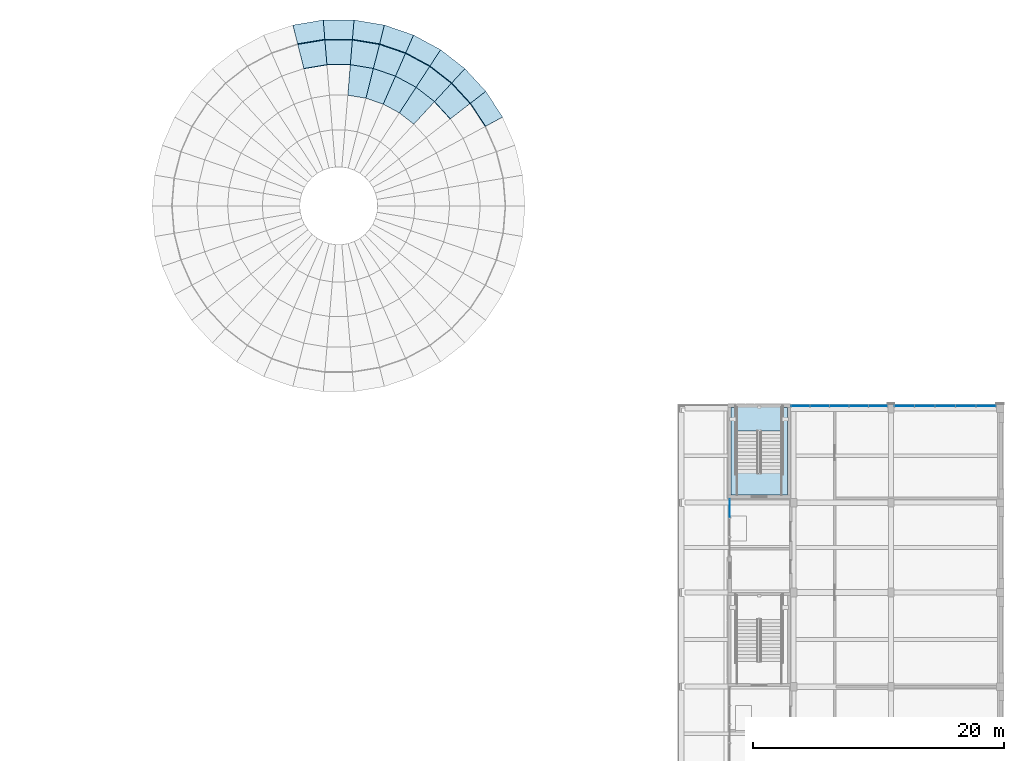
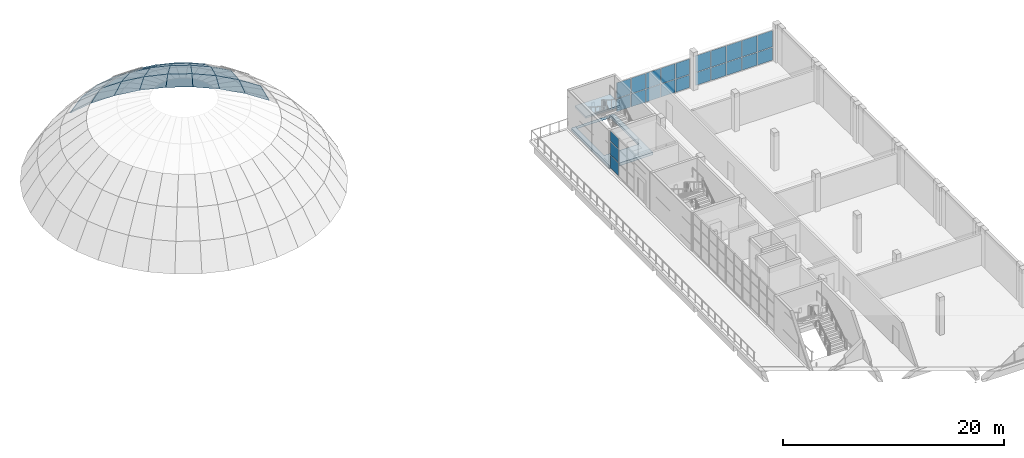
# One storey, part 25 of 36: 23 plates, 21 slabs, 5 elements without a shape of their own.
"""IFC4 building model written with IfcOpenShell, lengths in metres."""

from ifc_helpers import new_model, si_unit, direction, frame, origin, origin_2d, place, context, subcontext, project, spatial, polyline, rectangle, outline, extrude, material, layer, layer_set, type_object, element, aggregate, save


model = new_model("IFC4")

# Units and contexts
model_context = context("Model", 3, precision=1e-05, world=origin(), true_north=direction((0.0, 1.0)))
body_context = subcontext(model_context, "Body", "Model", "MODEL_VIEW")
ifc_project = project(units=[si_unit("LENGTHUNIT", "METRE"), si_unit("AREAUNIT", "SQUARE_METRE"), si_unit("VOLUMEUNIT", "CUBIC_METRE"), si_unit("PLANEANGLEUNIT", "RADIAN"), si_unit("MASSUNIT", "GRAM", prefix="KILO")], contexts=[model_context])

# Site, building, storey
site_placement = place(None, origin())
site = spatial("IfcSite", under=ifc_project, at=site_placement, CompositionType="ELEMENT")
building_placement = place(site_placement, origin())
building = spatial("IfcBuilding", under=site, at=building_placement, Name="Sun Court Science Centre", CompositionType="ELEMENT")
storey_placement = place(building_placement, frame((0.0, 0.0, 24.75)))
storey = spatial("IfcBuildingStorey", under=building, at=storey_placement, Name="L05", CompositionType="ELEMENT", Elevation=24.75)

# Roof, slabs
ifc_material_1 = material(Name="Zinc roofing", Category="metal")
roof_type = type_object("IfcRoofType", Name="Dome roof", PredefinedType="DOME_ROOF", material=ifc_material_1)
roof_placement = place(storey_placement, origin())
roof = element("IfcRoof", 1, at=roof_placement, inside=storey, type_object=roof_type, Name="Planetarium dome roof", PredefinedType="DOME_ROOF")
ifc_material_2 = material(Name="Zinc roofing", Category="metal")
ifc_layer_1 = layer(ifc_material_2, 0.06005859375)
ifc_layer_set_1 = layer_set([ifc_layer_1], Name="Zinc roofing")
slab_type_1 = type_object("IfcSlabType", Name="Dome roof panel 60", PredefinedType="ROOF", material=ifc_layer_set_1)
slab_1_placement = place(storey_placement, frame((56.989013671875, 103.305908203125, 2.2607421875), z_axis=(0.381938375577, 0.490691696821, 0.783163288167), x_axis=(-0.789121430342, 0.614237224635, -6.829699e-06)))
slab_1 = element("IfcSlab", 2, at=slab_1_placement, type_object=slab_type_1, Name="Dome roof panel 3.5", PredefinedType="ROOF", context=body_context, shape_type="SweptSolid", body=[
    extrude(outline(polyline([(0.0, 0.0), (1.4602931431949102, 1.1102230246251565e-16), (1.6620055472255875, -3.1044686144011804), (-0.20137884829265684, -3.1045051199164755), (0.0, 0.0)])), origin(), (0.0, 0.0, -1.0), 0.06005859375),
])
slab_2_placement = place(storey_placement, frame((55.836669921875, 104.202880859375, 2.2607421875), z_axis=(0.29589830461, 0.546902638941, 0.783161347902), x_axis=(-0.879520102149, 0.475861734027, -1.954916e-06)))
slab_2 = element("IfcSlab", 3, at=slab_2_placement, type_object=slab_type_1, Name="Dome roof panel 3.6", PredefinedType="ROOF", context=body_context, shape_type="SweptSolid", body=[
    extrude(outline(polyline([(0.0, 0.0), (1.4606477378626277, 0.0), (1.6618763744772977, -3.1044694436421714), (-0.20153872896884084, -3.104479894058959), (0.0, 0.0)])), origin(), (0.0, 0.0, -1.0), 0.06005859375),
])
slab_3_placement = place(storey_placement, frame((54.552001953125, 104.89794921875, 2.2607421875), z_axis=(0.201986843399, 0.588100544722, 0.78315966724), x_axis=(-0.945769826427, 0.324837552313, -5.209205e-06)))
slab_3 = element("IfcSlab", 4, at=slab_3_placement, type_object=slab_type_1, Name="Dome roof panel 3.7", PredefinedType="ROOF", context=body_context, shape_type="SweptSolid", body=[
    extrude(outline(polyline([(0.0, 0.0), (1.4602976738874296, 5.551115123125783e-17), (1.662145616811172, -3.1044501761645957), (-0.201096301971924, -3.1044780185973133), (0.0, 0.0)])), origin(), (0.0, 0.0, -1.0), 0.06005859375),
])
slab_4_placement = place(storey_placement, frame((53.1708984375, 105.372314453125, 2.2607421875), z_axis=(0.102299300629, 0.613339110469, 0.783166641693), x_axis=(-0.986377931145, 0.164494913603, 1.8653152e-05)))
slab_4 = element("IfcSlab", 5, at=slab_4_placement, type_object=slab_type_1, Name="Dome roof panel 3.8", PredefinedType="ROOF", context=body_context, shape_type="SweptSolid", body=[
    extrude(outline(polyline([(0.0, 0.0), (1.4605662028014457, -5.551115123125783e-17), (1.6618102362257752, -3.104557808795674), (-0.20172615417450554, -3.10445809215668), (0.0, 0.0)])), origin(), (0.0, 0.0, -1.0), 0.06005859375),
])
slab_5_placement = place(storey_placement, frame((59.9033203125, 103.729736328125, 0.330322265625), z_axis=(0.558727612434, 0.514270403504, 0.650653062071), x_axis=(-0.677224120625, 0.73577679387, -6.781914e-06)))
slab_5 = element("IfcSlab", 6, at=slab_5_placement, type_object=slab_type_1, Name="Dome roof panel 4.4", PredefinedType="ROOF", context=body_context, shape_type="SweptSolid", body=[
    extrude(outline(polyline([(0.0, 0.0), (1.8634506723351727, -1.1102230246251565e-16), (2.0310271301004383, -3.106655699262413), (-0.16727217335668618, -3.106691974399987), (0.0, 0.0)])), origin(), (0.0, 0.0, -1.0), 0.06005859375),
])
slab_6_placement = place(storey_placement, frame((58.641357421875, 105.100830078125, 0.330322265625), z_axis=(0.466409218161, 0.599284265535, 0.650631086174), x_axis=(-0.789149470539, 0.614201198834, -2.2327196e-05)))
slab_6 = element("IfcSlab", 7, at=slab_6_placement, type_object=slab_type_1, Name="Dome roof panel 4.5", PredefinedType="ROOF", context=body_context, shape_type="SweptSolid", body=[
    extrude(outline(polyline([(0.0, 0.0), (1.8633843948221864, 0.0), (2.030736858262941, -3.1065371038117346), (-0.16756118060520034, -3.1066565226943528), (0.0, 0.0)])), origin(), (0.0, 0.0, -1.0), 0.06005859375),
])
slab_7_placement = place(storey_placement, frame((57.1708984375, 106.245361328125, 0.330322265625), z_axis=(0.361413677165, 0.667871296322, 0.650636677039), x_axis=(-0.879500921564, 0.475897181563, 3.9337724e-05)))
slab_7 = element("IfcSlab", 8, at=slab_7_placement, type_object=slab_type_1, Name="Dome roof panel 4.6", PredefinedType="ROOF", context=body_context, shape_type="SweptSolid", body=[
    extrude(outline(polyline([(0.0, 0.0), (1.863415100073195, -1.1102230246251565e-16), (2.030522414704397, -3.1067215938523565), (-0.1678328387255072, -3.1065111868493256), (0.0, 0.0)])), origin(), (0.0, 0.0, -1.0), 0.06005859375),
])
slab_8_placement = place(storey_placement, frame((55.531982421875, 107.132080078125, 0.330322265625), z_axis=(0.24662069552, 0.718226289839, 0.650637555883), x_axis=(-0.945786793266, 0.324788147355, -3.1952183e-05)))
slab_8 = element("IfcSlab", 9, at=slab_8_placement, type_object=slab_type_1, Name="Dome roof panel 4.7", PredefinedType="ROOF", context=body_context, shape_type="SweptSolid", body=[
    extrude(outline(polyline([(0.0, 0.0), (1.8632419167696506, 0.0), (2.0310564756393163, -3.106534028995517), (-0.16741683029678261, -3.106704930559938), (0.0, 0.0)])), origin(), (0.0, 0.0, -1.0), 0.06005859375),
])
slab_9_placement = place(storey_placement, frame((53.769775390625, 107.7373046875, 0.330322265625), z_axis=(0.12497036233, 0.749046244047, 0.650624417631), x_axis=(-0.986367493608, 0.164557489896, 8.504647e-06)))
slab_9 = element("IfcSlab", 10, at=slab_9_placement, type_object=slab_type_1, Name="Dome roof panel 4.8", PredefinedType="ROOF", context=body_context, shape_type="SweptSolid", body=[
    extrude(outline(polyline([(0.0, 0.0), (1.863536393233653, 0.0), (2.030929258914925, -3.1065961810396425), (-0.1675058676117715, -3.1065506903269124), (0.0, 0.0)])), origin(), (0.0, 0.0, -1.0), 0.06005859375),
])
slab_10_placement = place(storey_placement, frame((51.931640625, 108.0439453125, 0.330322265625), z_axis=(0.0, 0.759395269727, 0.650629559978), x_axis=(-1.0, 0.0, 0.0)))
slab_10 = element("IfcSlab", 11, at=slab_10_placement, type_object=slab_type_1, Name="Dome roof panel 4.9", PredefinedType="ROOF", context=body_context, shape_type="SweptSolid", body=[
    extrude(outline(polyline([(0.0, 0.0), (1.86328125, 0.0), (2.03076171875, -3.106591459576191), (-0.16748046875, -3.106591459576191), (0.0, 0.0)])), origin(), (0.0, 0.0, -1.0), 0.06005859375),
])
slab_11_placement = place(storey_placement, frame((50.068359375, 108.0439453125, 0.330322265625), z_axis=(-0.12497036233, 0.749046244047, 0.650624417631), x_axis=(-0.986367493608, -0.164557489896, -8.504647e-06)))
slab_11 = element("IfcSlab", 12, at=slab_11_placement, type_object=slab_type_1, Name="Dome roof panel 4.10", PredefinedType="ROOF", context=body_context, shape_type="SweptSolid", body=[
    extrude(outline(polyline([(0.0, 0.0), (1.863536393233653, 0.0), (2.031042260845424, -3.106550690326912), (-0.16739286568127196, -3.1065961810396425), (0.0, 0.0)])), origin(), (0.0, 0.0, -1.0), 0.06005859375),
])
slab_12_placement = place(storey_placement, frame((62.706298828125, 103.13525390625, -2.02880859375), z_axis=(0.716927435454, 0.468407573973, 0.516342325341), x_axis=(-0.546961173457, 0.837157974775, 6.49537e-07)))
slab_12 = element("IfcSlab", 13, at=slab_12_placement, type_object=slab_type_1, Name="Dome roof panel 5.3", PredefinedType="ROOF", context=body_context, shape_type="SweptSolid", body=[
    extrude(outline(polyline([(0.0, 0.0), (2.198310691682863, -1.1102230246251565e-16), (2.32558313886506, -2.9777009746960776), (-0.12760814363755038, -2.9776974466902084), (0.0, 0.0)])), origin(), (0.0, 0.0, -1.0), 0.06005859375),
])
slab_13_placement = place(storey_placement, frame((61.50390625, 104.9755859375, -2.02880859375), z_axis=(0.630083225541, 0.580010981765, 0.516316172442), x_axis=(-0.677259716946, 0.735744028487, -1.8650023e-05)))
slab_13 = element("IfcSlab", 14, at=slab_13_placement, type_object=slab_type_1, Name="Dome roof panel 5.4", PredefinedType="ROOF", context=body_context, shape_type="SweptSolid", body=[
    extrude(outline(polyline([(0.0, 0.0), (2.1982993024081123, 0.0), (2.325905371529547, -2.977593734444448), (-0.12741133651231754, -2.977695034006719), (0.0, 0.0)])), origin(), (0.0, 0.0, -1.0), 0.06005859375),
])
slab_14_placement = place(storey_placement, frame((60.01513671875, 106.593017578125, -2.02880859375), z_axis=(0.525979210992, 0.675847999083, 0.516309356626), x_axis=(-0.789174882824, 0.614168547083, 9.681322e-06)))
slab_14 = element("IfcSlab", 15, at=slab_14_placement, type_object=slab_type_1, Name="Dome roof panel 5.5", PredefinedType="ROOF", context=body_context, shape_type="SweptSolid", body=[
    extrude(outline(polyline([(0.0, 0.0), (2.1982980426553054, 2.220446049250313e-16), (2.325608125082629, -2.9776563887382856), (-0.12737081777881185, -2.9776038077057754), (0.0, 0.0)])), origin(), (0.0, 0.0, -1.0), 0.06005859375),
])
slab_15_placement = place(storey_placement, frame((58.2802734375, 107.943115234375, -2.02880859375), z_axis=(0.407636031318, 0.753153527485, 0.516326088831), x_axis=(-0.87945032971, 0.475990669618, 3.079976e-06)))
slab_15 = element("IfcSlab", 16, at=slab_15_placement, type_object=slab_type_1, Name="Dome roof panel 5.6", PredefinedType="ROOF", context=body_context, shape_type="SweptSolid", body=[
    extrude(outline(polyline([(0.0, 0.0), (2.198355266346841, 0.0), (2.32591407931657, -2.9776735380731427), (-0.12730026063231575, -2.977656808910603), (0.0, 0.0)])), origin(), (0.0, 0.0, -1.0), 0.06005859375),
])
slab_16_placement = place(storey_placement, frame((56.346923828125, 108.989501953125, -2.02880859375), z_axis=(0.278048109186, 0.810007270552, 0.516311408582), x_axis=(-0.945823534697, 0.324681137218, -1.8663759e-05)))
slab_16 = element("IfcSlab", 17, at=slab_16_placement, type_object=slab_type_1, Name="Dome roof panel 5.7", PredefinedType="ROOF", context=body_context, shape_type="SweptSolid", body=[
    extrude(outline(polyline([(0.0, 0.0), (2.1984733130465615, -5.551115123125783e-17), (2.3258889883667955, -2.9775837116556145), (-0.12728892749360815, -2.977685086254274), (0.0, 0.0)])), origin(), (0.0, 0.0, -1.0), 0.06005859375),
])
slab_17_placement = place(storey_placement, frame((54.267578125, 109.703369140625, -2.02880859375), z_axis=(0.140960538339, 0.844729399557, 0.516296783019), x_axis=(-0.986361975329, 0.164590563444, 7.025434e-06)))
slab_17 = element("IfcSlab", 18, at=slab_17_placement, type_object=slab_type_1, Name="Dome roof panel 5.8", PredefinedType="ROOF", context=body_context, shape_type="SweptSolid", body=[
    extrude(outline(polyline([(0.0, 0.0), (2.1984351269287723, 5.551115123125783e-17), (2.3257477358707277, -2.9776228217426564), (-0.1273934578369458, -2.977584663205266), (0.0, 0.0)])), origin(), (0.0, 0.0, -1.0), 0.06005859375),
])
slab_18_placement = place(storey_placement, frame((52.09912109375, 110.065185546875, -2.02880859375), z_axis=(0.0, 0.856405830826, 0.516303256746), x_axis=(-1.0, 0.0, 0.0)))
slab_18 = element("IfcSlab", 19, at=slab_18_placement, type_object=slab_type_1, Name="Dome roof panel 5.9", PredefinedType="ROOF", context=body_context, shape_type="SweptSolid", body=[
    extrude(outline(polyline([(0.0, 0.0), (2.1982421875, 0.0), (2.32568359375, -2.9776173121854046), (-0.12744140625, -2.9776173121854046), (0.0, 0.0)])), origin(), (0.0, 0.0, -1.0), 0.06005859375),
])
slab_19_placement = place(storey_placement, frame((49.90087890625, 110.065185546875, -2.02880859375), z_axis=(-0.140960538339, 0.844729399557, 0.516296783019), x_axis=(-0.986361975329, -0.164590563444, -7.025434e-06)))
slab_19 = element("IfcSlab", 20, at=slab_19_placement, type_object=slab_type_1, Name="Dome roof panel 5.10", PredefinedType="ROOF", context=body_context, shape_type="SweptSolid", body=[
    extrude(outline(polyline([(0.0, 0.0), (2.1984351269287723, -5.551115123125783e-17), (2.325828584765718, -2.977584663205266), (-0.12731260894195556, -2.9776228217426564), (0.0, 0.0)])), origin(), (0.0, 0.0, -1.0), 0.06005859375),
])
aggregate(roof, [slab_1, slab_2, slab_3, slab_4, slab_5, slab_6, slab_7, slab_8, slab_9, slab_10, slab_11, slab_12, slab_13, slab_14, slab_15, slab_16, slab_17, slab_18, slab_19])

# Slab
ifc_material_3 = material(Name="Concrete C25/30", Category="concrete")
ifc_layer_2 = layer(ifc_material_3, 0.300048828125)
ifc_layer_set_2 = layer_set([ifc_layer_2], Name="Concrete C25/30")
slab_type_2 = type_object("IfcSlabType", Name="RC floor slab 300", PredefinedType="FLOOR", material=ifc_layer_set_2)
slab_20_placement = place(storey_placement, frame((0.0, 0.0, -0.300048828125)))
element("IfcSlab", 21, at=slab_20_placement, inside=storey, type_object=slab_type_2, Name="Stair SL4 landing slab L05", PredefinedType="FLOOR", context=body_context, shape_type="SweptSolid", body=[
    extrude(outline(polyline([(82.25, 80.75), (82.25, 73.75), (86.75, 73.75), (86.75, 80.75), (82.25, 80.75)]), holes=[polyline([(86.322998046875, 80.7451171875), (86.322998046875, 75.5029296875), (82.677001953125, 75.5029296875), (82.677001953125, 80.7451171875), (86.322998046875, 80.7451171875)])]), origin(), (0.0, 0.0, 1.0), 0.300048828125),
])

# Curtain wall, plates
ifc_material_4 = material(Name="Aluminium EN AW-6063 T6", Category="aluminium")
curtain_wall_type = type_object("IfcCurtainWallType", Name="Laboratory tall bay curtain wall 1500", PredefinedType="NOTDEFINED", material=ifc_material_4)
curtain_wall_1_placement = place(storey_placement, origin())
curtain_wall_1 = element("IfcCurtainWall", 22, at=curtain_wall_1_placement, inside=storey, type_object=curtain_wall_type, Name="Curtain wall V4 W5 L05 03", PredefinedType="NOTDEFINED")
ifc_material_5 = material(Name="Solar-control glass", Category="glass")
ifc_layer_3 = layer(ifc_material_5, 0.028076171875)
ifc_layer_set_3 = layer_set([ifc_layer_3], Name="Solar-control glass")
plate_type = type_object("IfcPlateType", Name="Solar-control glazing panel 8-12-8", PredefinedType="CURTAIN_PANEL", material=ifc_layer_set_3)
plate_1_placement = place(storey_placement, frame((82.14990234375, 72.7099609375, 0.06005859375), z_axis=(0.0, 0.0, 1.0), x_axis=(0.0, 1.0, 0.0)))
plate_1 = element("IfcPlate", 23, at=plate_1_placement, type_object=plate_type, Name="CW2-46 panel 3.1", PredefinedType="CURTAIN_PANEL", context=body_context, shape_type="SweptSolid", body=[
    extrude(rectangle(XDim=1.4599609375, YDim=0.028076171875, at=origin_2d()), origin(), (0.0, 0.0, 1.0), 1.409912109375),
])
plate_2_placement = place(storey_placement, frame((82.14990234375, 72.7099609375, 1.530029296875), z_axis=(0.0, 0.0, 1.0), x_axis=(0.0, 1.0, 0.0)))
plate_2 = element("IfcPlate", 24, at=plate_2_placement, type_object=plate_type, Name="CW2-46 panel 3.2", PredefinedType="CURTAIN_PANEL", context=body_context, shape_type="SweptSolid", body=[
    extrude(rectangle(XDim=1.4599609375, YDim=0.028076171875, at=origin_2d()), origin(), (0.0, 0.0, 1.0), 1.43994140625),
])
plate_3_placement = place(storey_placement, frame((82.14990234375, 72.7099609375, 3.02978515625), z_axis=(0.0, 0.0, 1.0), x_axis=(0.0, 1.0, 0.0)))
plate_3 = element("IfcPlate", 25, at=plate_3_placement, type_object=plate_type, Name="CW2-46 panel 3.3", PredefinedType="CURTAIN_PANEL", context=body_context, shape_type="SweptSolid", body=[
    extrude(rectangle(XDim=1.4599609375, YDim=0.028076171875, at=origin_2d()), origin(), (0.0, 0.0, 1.0), 1.110107421875),
])
aggregate(curtain_wall_1, [plate_1, plate_2, plate_3])

curtain_wall_2_placement = place(storey_placement, origin())
curtain_wall_2 = element("IfcCurtainWall", 26, at=curtain_wall_2_placement, inside=storey, type_object=curtain_wall_type, Name="Curtain wall V4 N L05 01", PredefinedType="NOTDEFINED")
plate_4_placement = place(storey_placement, frame((87.7900390625, 80.85009765625, 0.06005859375), z_axis=(0.0, 0.0, 1.0), x_axis=(1.0, 0.0, 0.0)))
plate_4 = element("IfcPlate", 27, at=plate_4_placement, type_object=plate_type, Name="CW2-76 panel 1.1", PredefinedType="CURTAIN_PANEL", context=body_context, shape_type="SweptSolid", body=[
    extrude(rectangle(XDim=1.4599609375, YDim=0.028076171875, at=origin_2d()), origin(), (0.0, 0.0, 1.0), 1.409912109375),
])
plate_5_placement = place(storey_placement, frame((89.324951171875, 80.85009765625, 0.06005859375), z_axis=(0.0, 0.0, 1.0), x_axis=(1.0, 0.0, 0.0)))
plate_5 = element("IfcPlate", 28, at=plate_5_placement, type_object=plate_type, Name="CW2-76 panel 2.1", PredefinedType="CURTAIN_PANEL", context=body_context, shape_type="SweptSolid", body=[
    extrude(rectangle(XDim=1.489990234375, YDim=0.028076171875, at=origin_2d()), origin(), (0.0, 0.0, 1.0), 1.409912109375),
])
plate_6_placement = place(storey_placement, frame((90.875, 80.85009765625, 0.06005859375), z_axis=(0.0, 0.0, 1.0), x_axis=(1.0, 0.0, 0.0)))
plate_6 = element("IfcPlate", 29, at=plate_6_placement, type_object=plate_type, Name="CW2-76 panel 3.1", PredefinedType="CURTAIN_PANEL", context=body_context, shape_type="SweptSolid", body=[
    extrude(rectangle(XDim=1.489990234375, YDim=0.028076171875, at=origin_2d()), origin(), (0.0, 0.0, 1.0), 1.409912109375),
])
plate_7_placement = place(storey_placement, frame((92.425048828125, 80.85009765625, 0.06005859375), z_axis=(0.0, 0.0, 1.0), x_axis=(1.0, 0.0, 0.0)))
plate_7 = element("IfcPlate", 30, at=plate_7_placement, type_object=plate_type, Name="CW2-76 panel 4.1", PredefinedType="CURTAIN_PANEL", context=body_context, shape_type="SweptSolid", body=[
    extrude(rectangle(XDim=1.489990234375, YDim=0.028076171875, at=origin_2d()), origin(), (0.0, 0.0, 1.0), 1.409912109375),
])
plate_8_placement = place(storey_placement, frame((93.9599609375, 80.85009765625, 0.06005859375), z_axis=(0.0, 0.0, 1.0), x_axis=(1.0, 0.0, 0.0)))
plate_8 = element("IfcPlate", 31, at=plate_8_placement, type_object=plate_type, Name="CW2-76 panel 5.1", PredefinedType="CURTAIN_PANEL", context=body_context, shape_type="SweptSolid", body=[
    extrude(rectangle(XDim=1.4599609375, YDim=0.028076171875, at=origin_2d()), origin(), (0.0, 0.0, 1.0), 1.409912109375),
])
plate_9_placement = place(storey_placement, frame((87.7900390625, 80.85009765625, 1.530029296875), z_axis=(0.0, 0.0, 1.0), x_axis=(1.0, 0.0, 0.0)))
plate_9 = element("IfcPlate", 32, at=plate_9_placement, type_object=plate_type, Name="CW2-76 panel 1.2", PredefinedType="CURTAIN_PANEL", context=body_context, shape_type="SweptSolid", body=[
    extrude(rectangle(XDim=1.4599609375, YDim=0.028076171875, at=origin_2d()), origin(), (0.0, 0.0, 1.0), 1.7099609375),
])
plate_10_placement = place(storey_placement, frame((89.324951171875, 80.85009765625, 1.530029296875), z_axis=(0.0, 0.0, 1.0), x_axis=(1.0, 0.0, 0.0)))
plate_10 = element("IfcPlate", 33, at=plate_10_placement, type_object=plate_type, Name="CW2-76 panel 2.2", PredefinedType="CURTAIN_PANEL", context=body_context, shape_type="SweptSolid", body=[
    extrude(rectangle(XDim=1.489990234375, YDim=0.028076171875, at=origin_2d()), origin(), (0.0, 0.0, 1.0), 1.7099609375),
])
plate_11_placement = place(storey_placement, frame((90.875, 80.85009765625, 1.530029296875), z_axis=(0.0, 0.0, 1.0), x_axis=(1.0, 0.0, 0.0)))
plate_11 = element("IfcPlate", 34, at=plate_11_placement, type_object=plate_type, Name="CW2-76 panel 3.2", PredefinedType="CURTAIN_PANEL", context=body_context, shape_type="SweptSolid", body=[
    extrude(rectangle(XDim=1.489990234375, YDim=0.028076171875, at=origin_2d()), origin(), (0.0, 0.0, 1.0), 1.7099609375),
])
plate_12_placement = place(storey_placement, frame((92.425048828125, 80.85009765625, 1.530029296875), z_axis=(0.0, 0.0, 1.0), x_axis=(1.0, 0.0, 0.0)))
plate_12 = element("IfcPlate", 35, at=plate_12_placement, type_object=plate_type, Name="CW2-76 panel 4.2", PredefinedType="CURTAIN_PANEL", context=body_context, shape_type="SweptSolid", body=[
    extrude(rectangle(XDim=1.489990234375, YDim=0.028076171875, at=origin_2d()), origin(), (0.0, 0.0, 1.0), 1.7099609375),
])
plate_13_placement = place(storey_placement, frame((93.9599609375, 80.85009765625, 1.530029296875), z_axis=(0.0, 0.0, 1.0), x_axis=(1.0, 0.0, 0.0)))
plate_13 = element("IfcPlate", 36, at=plate_13_placement, type_object=plate_type, Name="CW2-76 panel 5.2", PredefinedType="CURTAIN_PANEL", context=body_context, shape_type="SweptSolid", body=[
    extrude(rectangle(XDim=1.4599609375, YDim=0.028076171875, at=origin_2d()), origin(), (0.0, 0.0, 1.0), 1.7099609375),
])
aggregate(curtain_wall_2, [plate_4, plate_5, plate_6, plate_7, plate_8, plate_9, plate_10, plate_11, plate_12, plate_13])

curtain_wall_3_placement = place(storey_placement, origin())
curtain_wall_3 = element("IfcCurtainWall", 37, at=curtain_wall_3_placement, inside=storey, type_object=curtain_wall_type, Name="Curtain wall V4 N L05 02", PredefinedType="NOTDEFINED")
plate_14_placement = place(storey_placement, frame((96.080078125, 80.85009765625, 0.06005859375), z_axis=(0.0, 0.0, 1.0), x_axis=(1.0, 0.0, 0.0)))
plate_14 = element("IfcPlate", 38, at=plate_14_placement, type_object=plate_type, Name="CW2-77 panel 1.1", PredefinedType="CURTAIN_PANEL", context=body_context, shape_type="SweptSolid", body=[
    extrude(rectangle(XDim=1.5400390625, YDim=0.028076171875, at=origin_2d()), origin(), (0.0, 0.0, 1.0), 1.409912109375),
])
plate_15_placement = place(storey_placement, frame((97.695068359375, 80.85009765625, 0.06005859375), z_axis=(0.0, 0.0, 1.0), x_axis=(1.0, 0.0, 0.0)))
plate_15 = element("IfcPlate", 39, at=plate_15_placement, type_object=plate_type, Name="CW2-77 panel 2.1", PredefinedType="CURTAIN_PANEL", context=body_context, shape_type="SweptSolid", body=[
    extrude(rectangle(XDim=1.570068359375, YDim=0.028076171875, at=origin_2d()), origin(), (0.0, 0.0, 1.0), 1.409912109375),
])
plate_16_placement = place(storey_placement, frame((99.324951171875, 80.85009765625, 0.06005859375), z_axis=(0.0, 0.0, 1.0), x_axis=(1.0, 0.0, 0.0)))
plate_16 = element("IfcPlate", 40, at=plate_16_placement, type_object=plate_type, Name="CW2-77 panel 3.1", PredefinedType="CURTAIN_PANEL", context=body_context, shape_type="SweptSolid", body=[
    extrude(rectangle(XDim=1.570068359375, YDim=0.028076171875, at=origin_2d()), origin(), (0.0, 0.0, 1.0), 1.409912109375),
])
plate_17_placement = place(storey_placement, frame((100.955078125, 80.85009765625, 0.06005859375), z_axis=(0.0, 0.0, 1.0), x_axis=(1.0, 0.0, 0.0)))
plate_17 = element("IfcPlate", 41, at=plate_17_placement, type_object=plate_type, Name="CW2-77 panel 4.1", PredefinedType="CURTAIN_PANEL", context=body_context, shape_type="SweptSolid", body=[
    extrude(rectangle(XDim=1.570068359375, YDim=0.028076171875, at=origin_2d()), origin(), (0.0, 0.0, 1.0), 1.409912109375),
])
plate_18_placement = place(storey_placement, frame((102.570068359375, 80.85009765625, 0.06005859375), z_axis=(0.0, 0.0, 1.0), x_axis=(1.0, 0.0, 0.0)))
plate_18 = element("IfcPlate", 42, at=plate_18_placement, type_object=plate_type, Name="CW2-77 panel 5.1", PredefinedType="CURTAIN_PANEL", context=body_context, shape_type="SweptSolid", body=[
    extrude(rectangle(XDim=1.5400390625, YDim=0.028076171875, at=origin_2d()), origin(), (0.0, 0.0, 1.0), 1.409912109375),
])
plate_19_placement = place(storey_placement, frame((96.080078125, 80.85009765625, 1.530029296875), z_axis=(0.0, 0.0, 1.0), x_axis=(1.0, 0.0, 0.0)))
plate_19 = element("IfcPlate", 43, at=plate_19_placement, type_object=plate_type, Name="CW2-77 panel 1.2", PredefinedType="CURTAIN_PANEL", context=body_context, shape_type="SweptSolid", body=[
    extrude(rectangle(XDim=1.5400390625, YDim=0.028076171875, at=origin_2d()), origin(), (0.0, 0.0, 1.0), 1.81005859375),
])
plate_20_placement = place(storey_placement, frame((97.695068359375, 80.85009765625, 1.530029296875), z_axis=(0.0, 0.0, 1.0), x_axis=(1.0, 0.0, 0.0)))
plate_20 = element("IfcPlate", 44, at=plate_20_placement, type_object=plate_type, Name="CW2-77 panel 2.2", PredefinedType="CURTAIN_PANEL", context=body_context, shape_type="SweptSolid", body=[
    extrude(rectangle(XDim=1.570068359375, YDim=0.028076171875, at=origin_2d()), origin(), (0.0, 0.0, 1.0), 1.81005859375),
])
plate_21_placement = place(storey_placement, frame((99.324951171875, 80.85009765625, 1.530029296875), z_axis=(0.0, 0.0, 1.0), x_axis=(1.0, 0.0, 0.0)))
plate_21 = element("IfcPlate", 45, at=plate_21_placement, type_object=plate_type, Name="CW2-77 panel 3.2", PredefinedType="CURTAIN_PANEL", context=body_context, shape_type="SweptSolid", body=[
    extrude(rectangle(XDim=1.570068359375, YDim=0.028076171875, at=origin_2d()), origin(), (0.0, 0.0, 1.0), 1.81005859375),
])
plate_22_placement = place(storey_placement, frame((100.955078125, 80.85009765625, 1.530029296875), z_axis=(0.0, 0.0, 1.0), x_axis=(1.0, 0.0, 0.0)))
plate_22 = element("IfcPlate", 46, at=plate_22_placement, type_object=plate_type, Name="CW2-77 panel 4.2", PredefinedType="CURTAIN_PANEL", context=body_context, shape_type="SweptSolid", body=[
    extrude(rectangle(XDim=1.570068359375, YDim=0.028076171875, at=origin_2d()), origin(), (0.0, 0.0, 1.0), 1.81005859375),
])
plate_23_placement = place(storey_placement, frame((102.570068359375, 80.85009765625, 1.530029296875), z_axis=(0.0, 0.0, 1.0), x_axis=(1.0, 0.0, 0.0)))
plate_23 = element("IfcPlate", 47, at=plate_23_placement, type_object=plate_type, Name="CW2-77 panel 5.2", PredefinedType="CURTAIN_PANEL", context=body_context, shape_type="SweptSolid", body=[
    extrude(rectangle(XDim=1.5400390625, YDim=0.028076171875, at=origin_2d()), origin(), (0.0, 0.0, 1.0), 1.81005859375),
])
aggregate(curtain_wall_3, [plate_14, plate_15, plate_16, plate_17, plate_18, plate_19, plate_20, plate_21, plate_22, plate_23])

# Stair, slab
ifc_material_6 = material(Name="Concrete C25/30", Category="concrete")
stair_type = type_object("IfcStairType", Name="Stair 1500 enclosed half-turn", PredefinedType="HALF_TURN_STAIR", material=ifc_material_6)
stair_placement = place(storey_placement, origin())
stair = element("IfcStair", 48, at=stair_placement, inside=storey, type_object=stair_type, Name="L05 Stair SL4", PredefinedType="HALF_TURN_STAIR")
ifc_material_7 = material(Name="Concrete C25/30", Category="concrete")
ifc_layer_4 = layer(ifc_material_7, 0.199951171875)
ifc_layer_set_4 = layer_set([ifc_layer_4], Name="Concrete C25/30")
slab_type_3 = type_object("IfcSlabType", Name="Stair landing 200", PredefinedType="LANDING", material=ifc_layer_set_4)
slab_21_placement = place(storey_placement, frame((0.0, 0.0, 2.050048828125)))
slab_21 = element("IfcSlab", 49, at=slab_21_placement, type_object=slab_type_3, Name="SL4 landing 1", PredefinedType="LANDING", context=body_context, shape_type="SweptSolid", body=[
    extrude(outline(polyline([(86.322998046875, 78.85400390625), (86.322998046875, 80.85009765625), (82.677001953125, 80.85009765625), (82.677001953125, 78.85400390625), (86.322998046875, 78.85400390625)])), origin(), (0.0, 0.0, 1.0), 0.199951171875),
])
aggregate(stair, [slab_21])

save(model, "model.ifc")
